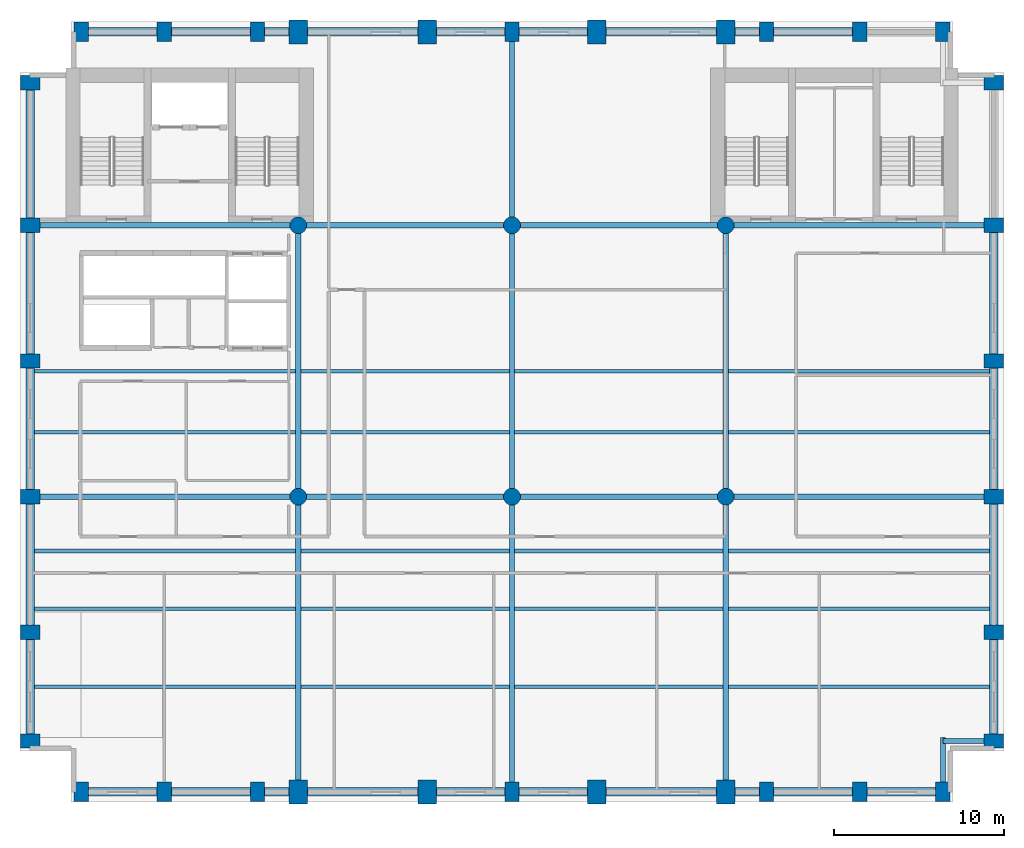
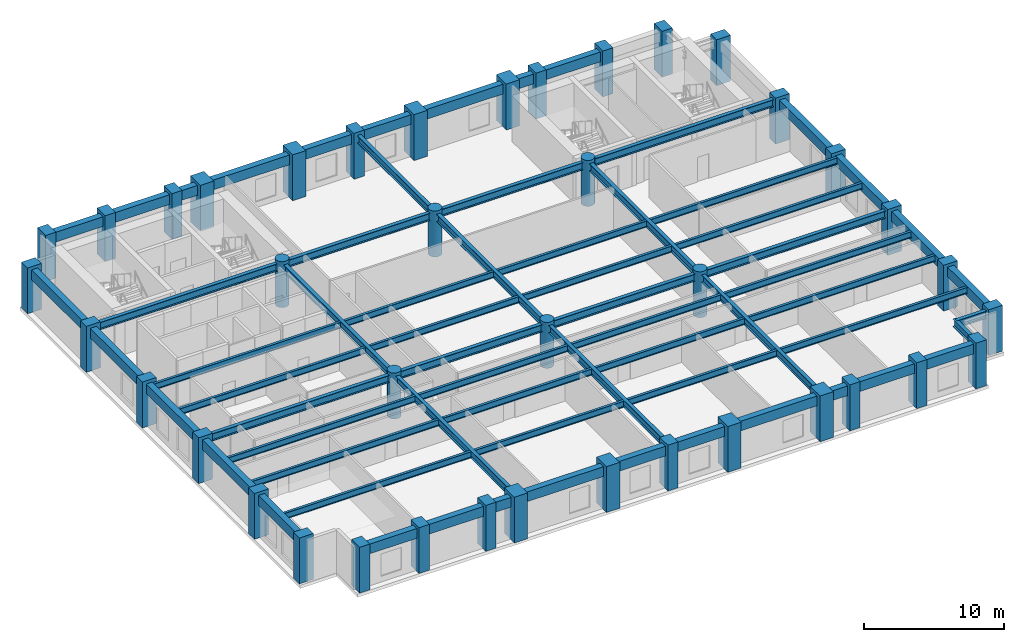
# One storey, part 1 of 9: 65 beams, 40 columns.
"""IFC4 building model written with IfcOpenShell, lengths in metres."""

from ifc_helpers import new_model, si_unit, direction, frame, origin, origin_2d, place, context, subcontext, project, spatial, rectangle, circle, i_section, extrude, material, material_profile, profile_set, type_object, element, save


model = new_model("IFC4")

# Units and contexts
model_context = context("Model", 3, precision=1e-05, world=origin(), true_north=direction((0.0, 1.0)))
body_context = subcontext(model_context, "Body", "Model", "MODEL_VIEW")
ifc_project = project(units=[si_unit("LENGTHUNIT", "METRE"), si_unit("AREAUNIT", "SQUARE_METRE"), si_unit("VOLUMEUNIT", "CUBIC_METRE"), si_unit("PLANEANGLEUNIT", "RADIAN"), si_unit("MASSUNIT", "GRAM", prefix="KILO")], contexts=[model_context])

# Site, building, storey
site_placement = place(None, origin())
site = spatial("IfcSite", under=ifc_project, at=site_placement, CompositionType="ELEMENT")
building_placement = place(site_placement, origin())
building = spatial("IfcBuilding", under=site, at=building_placement, Name="Sulina Concourse Tower", CompositionType="ELEMENT")
storey_placement = place(building_placement, frame((0.0, 0.0, 96.60009765625)))
storey = spatial("IfcBuildingStorey", under=building, at=storey_placement, Name="L23", CompositionType="ELEMENT", Elevation=96.60009765625)

# Columns
ifc_material_1 = material(Name="Concrete C60/75", Category="concrete")
ifc_material_profile_1 = material_profile(ifc_material_1, circle(Radius=0.5, at=origin_2d()), Name="RC D1000")
ifc_profile_set_1 = profile_set([ifc_material_profile_1], Name="Concrete C60/75")
column_type_1 = type_object("IfcColumnType", Name="Lower Interior Circular Column D1000", PredefinedType="COLUMN", material=ifc_profile_set_1)
for number, where, z_axis, x_axis, name in (
    (1, (16.39990234375, 18.0, 0.0), (0.0, 0.0, 1.0), (1.0, 0.0, 0.0), "L23 structural column IC-M-164"),
    (2, (16.39990234375, 34.0, 0.0), (0.0, 0.0, 1.0), (1.0, 0.0, 0.0), "L23 structural column IC-N-164"),
    (3, (29.0, 18.0, 0.0), (0.0, 0.0, 1.0), (1.0, 0.0, 0.0), "L23 structural column IC-M-290"),
    (4, (29.0, 34.0, 0.0), (0.0, 0.0, 1.0), (1.0, 0.0, 0.0), "L23 structural column IC-N-290"),
    (5, (41.60009765625, 18.0, 0.0), (0.0, 0.0, 1.0), (1.0, 0.0, 0.0), "L23 structural column IC-M-416"),
    (6, (41.60009765625, 34.0, 0.0), (0.0, 0.0, 1.0), (1.0, 0.0, 0.0), "L23 structural column IC-N-416"),
):
    element("IfcColumn", number, at=place(storey_placement, frame(where, z_axis=z_axis, x_axis=x_axis)), inside=storey, type_object=column_type_1, Name=name, PredefinedType="COLUMN", context=body_context, shape_type="SweptSolid", body=[
        extrude(circle(Radius=0.5, at=origin_2d()), origin(), (0.0, 0.0, 1.0), 4.0),
    ])
ifc_material_2 = material(Name="Concrete C60/75", Category="concrete")
ifc_material_profile_2 = material_profile(ifc_material_2, rectangle(XDim=1.10009765625, YDim=1.39990234375, at=origin_2d()), Name="RC 1100x1400")
ifc_profile_set_2 = profile_set([ifc_material_profile_2], Name="Concrete C60/75")
column_type_2 = type_object("IfcColumnType", Name="Mid-Rise Portal Column 1100x1400", PredefinedType="COLUMN", material=ifc_profile_set_2)
for number, where, z_axis, x_axis, name in (
    (7, (16.39990234375, 0.60009765625, 0.0), (0.0, 0.0, 1.0), (1.0, 0.0, 0.0), "L23 structural column TP-S-164"),
    (8, (16.39990234375, 45.39990234375, 0.0), (0.0, 0.0, 1.0), (1.0, 0.0, 0.0), "L23 structural column TP-N-164"),
    (9, (24.0, 0.60009765625, 0.0), (0.0, 0.0, 1.0), (1.0, 0.0, 0.0), "L23 structural column TP-S-240"),
    (10, (24.0, 45.39990234375, 0.0), (0.0, 0.0, 1.0), (1.0, 0.0, 0.0), "L23 structural column TP-N-240"),
    (11, (34.0, 0.60009765625, 0.0), (0.0, 0.0, 1.0), (1.0, 0.0, 0.0), "L23 structural column TP-S-340"),
    (12, (34.0, 45.39990234375, 0.0), (0.0, 0.0, 1.0), (1.0, 0.0, 0.0), "L23 structural column TP-N-340"),
    (13, (41.60009765625, 0.60009765625, 0.0), (0.0, 0.0, 1.0), (1.0, 0.0, 0.0), "L23 structural column TP-S-416"),
    (14, (41.60009765625, 45.39990234375, 0.0), (0.0, 0.0, 1.0), (1.0, 0.0, 0.0), "L23 structural column TP-N-416"),
):
    element("IfcColumn", number, at=place(storey_placement, frame(where, z_axis=z_axis, x_axis=x_axis)), inside=storey, type_object=column_type_2, Name=name, PredefinedType="COLUMN", context=body_context, shape_type="SweptSolid", body=[
        extrude(rectangle(XDim=1.10009765625, YDim=1.39990234375, at=origin_2d()), origin(), (0.0, 0.0, 1.0), 4.0),
    ])
ifc_material_3 = material(Name="Precast concrete C60/75", Category="concrete")
ifc_material_profile_3 = material_profile(ifc_material_3, rectangle(XDim=0.85009765625, YDim=1.14990234375, at=origin_2d()), Name="PC 850x1150")
ifc_profile_set_3 = profile_set([ifc_material_profile_3], Name="Precast concrete C60/75")
column_type_3 = type_object("IfcColumnType", Name="Precast Tube Pier Zone 2 850x1150", PredefinedType="COLUMN", material=ifc_profile_set_3)
for number, where, z_axis, x_axis, name in (
    (15, (3.60009765625, 0.60009765625, 0.0), (0.0, 0.0, 1.0), (1.0, 0.0, 0.0), "L23 structural column TP-S-36"),
    (16, (3.60009765625, 45.39990234375, 0.0), (0.0, 0.0, 1.0), (1.0, 0.0, 0.0), "L23 structural column TP-N-36"),
    (17, (8.5, 0.60009765625, 0.0), (0.0, 0.0, 1.0), (1.0, 0.0, 0.0), "L23 structural column TP-S-85"),
    (18, (8.5, 45.39990234375, 0.0), (0.0, 0.0, 1.0), (1.0, 0.0, 0.0), "L23 structural column TP-N-85"),
    (19, (14.0, 0.60009765625, 0.0), (0.0, 0.0, 1.0), (1.0, 0.0, 0.0), "L23 structural column TP-S-140"),
    (20, (14.0, 45.39990234375, 0.0), (0.0, 0.0, 1.0), (1.0, 0.0, 0.0), "L23 structural column TP-N-140"),
    (21, (29.0, 0.60009765625, 0.0), (0.0, 0.0, 1.0), (1.0, 0.0, 0.0), "L23 structural column TP-S-290"),
    (22, (29.0, 45.39990234375, 0.0), (0.0, 0.0, 1.0), (1.0, 0.0, 0.0), "L23 structural column TP-N-290"),
    (23, (44.0, 0.60009765625, 0.0), (0.0, 0.0, 1.0), (1.0, 0.0, 0.0), "L23 structural column TP-S-440"),
    (24, (44.0, 45.39990234375, 0.0), (0.0, 0.0, 1.0), (1.0, 0.0, 0.0), "L23 structural column TP-N-440"),
    (25, (49.5, 0.60009765625, 0.0), (0.0, 0.0, 1.0), (1.0, 0.0, 0.0), "L23 structural column TP-S-495"),
    (26, (49.5, 45.39990234375, 0.0), (0.0, 0.0, 1.0), (1.0, 0.0, 0.0), "L23 structural column TP-N-495"),
    (27, (54.39990234375, 0.60009765625, 0.0), (0.0, 0.0, 1.0), (1.0, 0.0, 0.0), "L23 structural column TP-S-544"),
    (28, (54.39990234375, 45.39990234375, 0.0), (0.0, 0.0, 1.0), (1.0, 0.0, 0.0), "L23 structural column TP-N-544"),
    (29, (0.60009765625, 3.60009765625, 0.0), (0.0, 0.0, 1.0), (0.0, 1.0, 0.0), "L23 structural column TP-W-36"),
    (30, (57.39990234375, 3.60009765625, 0.0), (0.0, 0.0, 1.0), (0.0, 1.0, 0.0), "L23 structural column TP-E-36"),
    (31, (0.60009765625, 10.0, 0.0), (0.0, 0.0, 1.0), (0.0, 1.0, 0.0), "L23 structural column TP-W-100"),
    (32, (57.39990234375, 10.0, 0.0), (0.0, 0.0, 1.0), (0.0, 1.0, 0.0), "L23 structural column TP-E-100"),
    (33, (0.60009765625, 18.0, 0.0), (0.0, 0.0, 1.0), (0.0, 1.0, 0.0), "L23 structural column TP-W-180"),
    (34, (57.39990234375, 18.0, 0.0), (0.0, 0.0, 1.0), (0.0, 1.0, 0.0), "L23 structural column TP-E-180"),
    (35, (0.60009765625, 26.0, 0.0), (0.0, 0.0, 1.0), (0.0, 1.0, 0.0), "L23 structural column TP-W-260"),
    (36, (57.39990234375, 26.0, 0.0), (0.0, 0.0, 1.0), (0.0, 1.0, 0.0), "L23 structural column TP-E-260"),
    (37, (0.60009765625, 34.0, 0.0), (0.0, 0.0, 1.0), (0.0, 1.0, 0.0), "L23 structural column TP-W-340"),
    (38, (57.39990234375, 34.0, 0.0), (0.0, 0.0, 1.0), (0.0, 1.0, 0.0), "L23 structural column TP-E-340"),
    (39, (0.60009765625, 42.39990234375, 0.0), (0.0, 0.0, 1.0), (0.0, 1.0, 0.0), "L23 structural column TP-W-424"),
    (40, (57.39990234375, 42.39990234375, 0.0), (0.0, 0.0, 1.0), (0.0, 1.0, 0.0), "L23 structural column TP-E-424"),
):
    element("IfcColumn", number, at=place(storey_placement, frame(where, z_axis=z_axis, x_axis=x_axis)), inside=storey, type_object=column_type_3, Name=name, PredefinedType="COLUMN", context=body_context, shape_type="SweptSolid", body=[
        extrude(rectangle(XDim=0.85009765625, YDim=1.14990234375, at=origin_2d()), origin(), (0.0, 0.0, 1.0), 4.0),
    ])

# Beams
ifc_material_4 = material(Name="Steel S355", Category="steel")
ifc_material_profile_4 = material_profile(ifc_material_4, i_section(OverallWidth=0.2099609375, OverallDepth=0.550048828125, WebThickness=0.010986328125, FlangeThickness=0.01708984375, at=origin_2d()), Name="IPE 550")
ifc_profile_set_4 = profile_set([ifc_material_profile_4], Name="Steel S355")
beam_type_1 = type_object("IfcBeamType", Name="Composite Floor Joist IPE550", PredefinedType="JOIST", material=ifc_profile_set_4)
beam_1_placement = place(storey_placement, frame((0.85009765625, 6.800048828125, 3.449951171875), z_axis=(1.0, 0.0, 0.0), x_axis=(0.0, 1.0, 0.0)))
element("IfcBeam", 41, at=beam_1_placement, inside=storey, type_object=beam_type_1, Name="FJ-J06-1-L23", PredefinedType="JOIST", context=body_context, shape_type="SweptSolid", body=[
    extrude(i_section(OverallWidth=0.2099609375, OverallDepth=0.550048828125, WebThickness=0.010986328125, FlangeThickness=0.01708984375, at=origin_2d()), origin(), (0.0, 0.0, 1.0), 15.39990234375),
])
for number, where, z_axis, x_axis, name in (
    (42, (16.550048828125, 6.800048828125, 3.449951171875), (1.0, 0.0, 0.0), (0.0, 1.0, 0.0), "FJ-J06-2-L23"),
    (43, (29.14990234375, 6.800048828125, 3.449951171875), (1.0, 0.0, 0.0), (0.0, 1.0, 0.0), "FJ-J06-3-L23"),
):
    element("IfcBeam", number, at=place(storey_placement, frame(where, z_axis=z_axis, x_axis=x_axis)), inside=storey, type_object=beam_type_1, Name=name, PredefinedType="JOIST", context=body_context, shape_type="SweptSolid", body=[
        extrude(i_section(OverallWidth=0.2099609375, OverallDepth=0.550048828125, WebThickness=0.010986328125, FlangeThickness=0.01708984375, at=origin_2d()), origin(), (0.0, 0.0, 1.0), 12.300048828125),
    ])
for number, where, z_axis, x_axis, name in (
    (44, (41.75, 6.800048828125, 3.449951171875), (1.0, 0.0, 0.0), (0.0, 1.0, 0.0), "FJ-J06-4-L23"),
    (45, (0.85009765625, 11.39990234375, 3.449951171875), (1.0, 0.0, 0.0), (0.0, 1.0, 0.0), "FJ-J11-1-L23"),
):
    element("IfcBeam", number, at=place(storey_placement, frame(where, z_axis=z_axis, x_axis=x_axis)), inside=storey, type_object=beam_type_1, Name=name, PredefinedType="JOIST", context=body_context, shape_type="SweptSolid", body=[
        extrude(i_section(OverallWidth=0.2099609375, OverallDepth=0.550048828125, WebThickness=0.010986328125, FlangeThickness=0.01708984375, at=origin_2d()), origin(), (0.0, 0.0, 1.0), 15.39990234375),
    ])
for number, where, z_axis, x_axis, name in (
    (46, (16.550048828125, 11.39990234375, 3.449951171875), (1.0, 0.0, 0.0), (0.0, 1.0, 0.0), "FJ-J11-2-L23"),
    (47, (29.14990234375, 11.39990234375, 3.449951171875), (1.0, 0.0, 0.0), (0.0, 1.0, 0.0), "FJ-J11-3-L23"),
):
    element("IfcBeam", number, at=place(storey_placement, frame(where, z_axis=z_axis, x_axis=x_axis)), inside=storey, type_object=beam_type_1, Name=name, PredefinedType="JOIST", context=body_context, shape_type="SweptSolid", body=[
        extrude(i_section(OverallWidth=0.2099609375, OverallDepth=0.550048828125, WebThickness=0.010986328125, FlangeThickness=0.01708984375, at=origin_2d()), origin(), (0.0, 0.0, 1.0), 12.300048828125),
    ])
for number, where, z_axis, x_axis, name in (
    (48, (41.75, 11.39990234375, 3.449951171875), (1.0, 0.0, 0.0), (0.0, 1.0, 0.0), "FJ-J11-4-L23"),
    (49, (0.85009765625, 14.800048828125, 3.449951171875), (1.0, 0.0, 0.0), (0.0, 1.0, 0.0), "FJ-J15-1-L23"),
):
    element("IfcBeam", number, at=place(storey_placement, frame(where, z_axis=z_axis, x_axis=x_axis)), inside=storey, type_object=beam_type_1, Name=name, PredefinedType="JOIST", context=body_context, shape_type="SweptSolid", body=[
        extrude(i_section(OverallWidth=0.2099609375, OverallDepth=0.550048828125, WebThickness=0.010986328125, FlangeThickness=0.01708984375, at=origin_2d()), origin(), (0.0, 0.0, 1.0), 15.39990234375),
    ])
for number, where, z_axis, x_axis, name in (
    (50, (16.550048828125, 14.800048828125, 3.449951171875), (1.0, 0.0, 0.0), (0.0, 1.0, 0.0), "FJ-J15-2-L23"),
    (51, (29.14990234375, 14.800048828125, 3.449951171875), (1.0, 0.0, 0.0), (0.0, 1.0, 0.0), "FJ-J15-3-L23"),
):
    element("IfcBeam", number, at=place(storey_placement, frame(where, z_axis=z_axis, x_axis=x_axis)), inside=storey, type_object=beam_type_1, Name=name, PredefinedType="JOIST", context=body_context, shape_type="SweptSolid", body=[
        extrude(i_section(OverallWidth=0.2099609375, OverallDepth=0.550048828125, WebThickness=0.010986328125, FlangeThickness=0.01708984375, at=origin_2d()), origin(), (0.0, 0.0, 1.0), 12.300048828125),
    ])
for number, where, z_axis, x_axis, name in (
    (52, (41.75, 14.800048828125, 3.449951171875), (1.0, 0.0, 0.0), (0.0, 1.0, 0.0), "FJ-J15-4-L23"),
    (53, (0.85009765625, 21.800048828125, 3.449951171875), (1.0, 0.0, 0.0), (0.0, 1.0, 0.0), "FJ-J22-1-L23"),
):
    element("IfcBeam", number, at=place(storey_placement, frame(where, z_axis=z_axis, x_axis=x_axis)), inside=storey, type_object=beam_type_1, Name=name, PredefinedType="JOIST", context=body_context, shape_type="SweptSolid", body=[
        extrude(i_section(OverallWidth=0.2099609375, OverallDepth=0.550048828125, WebThickness=0.010986328125, FlangeThickness=0.01708984375, at=origin_2d()), origin(), (0.0, 0.0, 1.0), 15.39990234375),
    ])
for number, where, z_axis, x_axis, name in (
    (54, (16.550048828125, 21.800048828125, 3.449951171875), (1.0, 0.0, 0.0), (0.0, 1.0, 0.0), "FJ-J22-2-L23"),
    (55, (29.14990234375, 21.800048828125, 3.449951171875), (1.0, 0.0, 0.0), (0.0, 1.0, 0.0), "FJ-J22-3-L23"),
):
    element("IfcBeam", number, at=place(storey_placement, frame(where, z_axis=z_axis, x_axis=x_axis)), inside=storey, type_object=beam_type_1, Name=name, PredefinedType="JOIST", context=body_context, shape_type="SweptSolid", body=[
        extrude(i_section(OverallWidth=0.2099609375, OverallDepth=0.550048828125, WebThickness=0.010986328125, FlangeThickness=0.01708984375, at=origin_2d()), origin(), (0.0, 0.0, 1.0), 12.300048828125),
    ])
for number, where, z_axis, x_axis, name in (
    (56, (41.75, 21.800048828125, 3.449951171875), (1.0, 0.0, 0.0), (0.0, 1.0, 0.0), "FJ-J22-4-L23"),
    (57, (0.85009765625, 25.39990234375, 3.449951171875), (1.0, 0.0, 0.0), (0.0, 1.0, 0.0), "FJ-J25-1-L23"),
):
    element("IfcBeam", number, at=place(storey_placement, frame(where, z_axis=z_axis, x_axis=x_axis)), inside=storey, type_object=beam_type_1, Name=name, PredefinedType="JOIST", context=body_context, shape_type="SweptSolid", body=[
        extrude(i_section(OverallWidth=0.2099609375, OverallDepth=0.550048828125, WebThickness=0.010986328125, FlangeThickness=0.01708984375, at=origin_2d()), origin(), (0.0, 0.0, 1.0), 15.39990234375),
    ])
for number, where, z_axis, x_axis, name in (
    (58, (16.550048828125, 25.39990234375, 3.449951171875), (1.0, 0.0, 0.0), (0.0, 1.0, 0.0), "FJ-J25-2-L23"),
    (59, (29.14990234375, 25.39990234375, 3.449951171875), (1.0, 0.0, 0.0), (0.0, 1.0, 0.0), "FJ-J25-3-L23"),
):
    element("IfcBeam", number, at=place(storey_placement, frame(where, z_axis=z_axis, x_axis=x_axis)), inside=storey, type_object=beam_type_1, Name=name, PredefinedType="JOIST", context=body_context, shape_type="SweptSolid", body=[
        extrude(i_section(OverallWidth=0.2099609375, OverallDepth=0.550048828125, WebThickness=0.010986328125, FlangeThickness=0.01708984375, at=origin_2d()), origin(), (0.0, 0.0, 1.0), 12.300048828125),
    ])
beam_2_placement = place(storey_placement, frame((41.75, 25.39990234375, 3.449951171875), z_axis=(1.0, 0.0, 0.0), x_axis=(0.0, 1.0, 0.0)))
element("IfcBeam", 60, at=beam_2_placement, inside=storey, type_object=beam_type_1, Name="FJ-J25-4-L23", PredefinedType="JOIST", context=body_context, shape_type="SweptSolid", body=[
    extrude(i_section(OverallWidth=0.2099609375, OverallDepth=0.550048828125, WebThickness=0.010986328125, FlangeThickness=0.01708984375, at=origin_2d()), origin(), (0.0, 0.0, 1.0), 15.39990234375),
])
ifc_material_5 = material(Name="Steel S355", Category="steel")
ifc_material_profile_5 = material_profile(ifc_material_5, i_section(OverallWidth=0.300048828125, OverallDepth=0.64990234375, WebThickness=0.01611328125, FlangeThickness=0.031005859375, at=origin_2d()), Name="HE 650 B")
ifc_profile_set_5 = profile_set([ifc_material_profile_5], Name="Steel S355")
beam_type_2 = type_object("IfcBeamType", Name="Floor Primary Girder Zone 2 HE650B", PredefinedType="BEAM", material=ifc_profile_set_5)
beam_3_placement = place(storey_placement, frame((54.39990234375, 3.60009765625, 3.39990234375), z_axis=(1.0, 0.0, 0.0), x_axis=(0.0, 1.0, 0.0)))
element("IfcBeam", 61, at=beam_3_placement, inside=storey, type_object=beam_type_2, Name="TIE-SE-L23", PredefinedType="BEAM", context=body_context, shape_type="SweptSolid", body=[
    extrude(i_section(OverallWidth=0.300048828125, OverallDepth=0.64990234375, WebThickness=0.01611328125, FlangeThickness=0.031005859375, at=origin_2d()), origin(), (0.0, 0.0, 1.0), 2.59521484375),
])
beam_4_placement = place(storey_placement, frame((54.39990234375, 1.0048828125, 3.39990234375), z_axis=(0.0, 1.0, 0.0), x_axis=(-1.0, 0.0, 0.0)))
element("IfcBeam", 62, at=beam_4_placement, inside=storey, type_object=beam_type_2, Name="TIE-SES-L23", PredefinedType="BEAM", context=body_context, shape_type="SweptSolid", body=[
    extrude(i_section(OverallWidth=0.300048828125, OverallDepth=0.64990234375, WebThickness=0.01611328125, FlangeThickness=0.031005859375, at=origin_2d()), origin(), (0.0, 0.0, 1.0), 2.795166015625),
])
beam_5_placement = place(storey_placement, frame((1.0048828125, 18.0, 3.39990234375), z_axis=(1.0, 0.0, 0.0), x_axis=(0.0, 1.0, 0.0)))
element("IfcBeam", 63, at=beam_5_placement, inside=storey, type_object=beam_type_2, Name="FG-EW1-L23", PredefinedType="BEAM", context=body_context, shape_type="SweptSolid", body=[
    extrude(i_section(OverallWidth=0.300048828125, OverallDepth=0.64990234375, WebThickness=0.01611328125, FlangeThickness=0.031005859375, at=origin_2d()), origin(), (0.0, 0.0, 1.0), 14.9150390625),
])
for number, where, z_axis, x_axis, name in (
    (64, (16.8798828125, 18.0, 3.39990234375), (1.0, 0.0, 0.0), (0.0, 1.0, 0.0), "FG-EW2-L23"),
    (65, (29.47998046875, 18.0, 3.39990234375), (1.0, 0.0, 0.0), (0.0, 1.0, 0.0), "FG-EW3-L23"),
):
    element("IfcBeam", number, at=place(storey_placement, frame(where, z_axis=z_axis, x_axis=x_axis)), inside=storey, type_object=beam_type_2, Name=name, PredefinedType="BEAM", context=body_context, shape_type="SweptSolid", body=[
        extrude(i_section(OverallWidth=0.300048828125, OverallDepth=0.64990234375, WebThickness=0.01611328125, FlangeThickness=0.031005859375, at=origin_2d()), origin(), (0.0, 0.0, 1.0), 11.64013671875),
    ])
for number, where, z_axis, x_axis, name in (
    (66, (42.080078125, 18.0, 3.39990234375), (1.0, 0.0, 0.0), (0.0, 1.0, 0.0), "FG-EW4-L23"),
    (67, (1.0048828125, 34.0, 3.39990234375), (1.0, 0.0, 0.0), (0.0, 1.0, 0.0), "FG-EWN1-L23"),
):
    element("IfcBeam", number, at=place(storey_placement, frame(where, z_axis=z_axis, x_axis=x_axis)), inside=storey, type_object=beam_type_2, Name=name, PredefinedType="BEAM", context=body_context, shape_type="SweptSolid", body=[
        extrude(i_section(OverallWidth=0.300048828125, OverallDepth=0.64990234375, WebThickness=0.01611328125, FlangeThickness=0.031005859375, at=origin_2d()), origin(), (0.0, 0.0, 1.0), 14.9150390625),
    ])
for number, where, z_axis, x_axis, name in (
    (68, (16.8798828125, 34.0, 3.39990234375), (1.0, 0.0, 0.0), (0.0, 1.0, 0.0), "FG-EWN2-L23"),
    (69, (29.47998046875, 34.0, 3.39990234375), (1.0, 0.0, 0.0), (0.0, 1.0, 0.0), "FG-EWN3-L23"),
):
    element("IfcBeam", number, at=place(storey_placement, frame(where, z_axis=z_axis, x_axis=x_axis)), inside=storey, type_object=beam_type_2, Name=name, PredefinedType="BEAM", context=body_context, shape_type="SweptSolid", body=[
        extrude(i_section(OverallWidth=0.300048828125, OverallDepth=0.64990234375, WebThickness=0.01611328125, FlangeThickness=0.031005859375, at=origin_2d()), origin(), (0.0, 0.0, 1.0), 11.64013671875),
    ])
beam_6_placement = place(storey_placement, frame((42.080078125, 34.0, 3.39990234375), z_axis=(1.0, 0.0, 0.0), x_axis=(0.0, 1.0, 0.0)))
element("IfcBeam", 70, at=beam_6_placement, inside=storey, type_object=beam_type_2, Name="FG-EWN4-L23", PredefinedType="BEAM", context=body_context, shape_type="SweptSolid", body=[
    extrude(i_section(OverallWidth=0.300048828125, OverallDepth=0.64990234375, WebThickness=0.01611328125, FlangeThickness=0.031005859375, at=origin_2d()), origin(), (0.0, 0.0, 1.0), 14.9150390625),
])
beam_7_placement = place(storey_placement, frame((16.39990234375, 1.1298828125, 3.39990234375), z_axis=(0.0, 1.0, 0.0), x_axis=(-1.0, 0.0, 0.0)))
element("IfcBeam", 71, at=beam_7_placement, inside=storey, type_object=beam_type_2, Name="FG-NSA-16-L23", PredefinedType="BEAM", context=body_context, shape_type="SweptSolid", body=[
    extrude(i_section(OverallWidth=0.300048828125, OverallDepth=0.64990234375, WebThickness=0.01611328125, FlangeThickness=0.031005859375, at=origin_2d()), origin(), (0.0, 0.0, 1.0), 16.39013671875),
])
beam_8_placement = place(storey_placement, frame((16.39990234375, 18.47998046875, 3.39990234375), z_axis=(0.0, 1.0, 0.0), x_axis=(-1.0, 0.0, 0.0)))
element("IfcBeam", 72, at=beam_8_placement, inside=storey, type_object=beam_type_2, Name="FG-NSB-16-L23", PredefinedType="BEAM", context=body_context, shape_type="SweptSolid", body=[
    extrude(i_section(OverallWidth=0.300048828125, OverallDepth=0.64990234375, WebThickness=0.01611328125, FlangeThickness=0.031005859375, at=origin_2d()), origin(), (0.0, 0.0, 1.0), 15.0400390625),
])
beam_9_placement = place(storey_placement, frame((29.0, 1.0048828125, 3.39990234375), z_axis=(0.0, 1.0, 0.0), x_axis=(-1.0, 0.0, 0.0)))
element("IfcBeam", 73, at=beam_9_placement, inside=storey, type_object=beam_type_2, Name="FG-NSA-29-L23", PredefinedType="BEAM", context=body_context, shape_type="SweptSolid", body=[
    extrude(i_section(OverallWidth=0.300048828125, OverallDepth=0.64990234375, WebThickness=0.01611328125, FlangeThickness=0.031005859375, at=origin_2d()), origin(), (0.0, 0.0, 1.0), 16.51513671875),
])
beam_10_placement = place(storey_placement, frame((29.0, 18.47998046875, 3.39990234375), z_axis=(0.0, 1.0, 0.0), x_axis=(-1.0, 0.0, 0.0)))
element("IfcBeam", 74, at=beam_10_placement, inside=storey, type_object=beam_type_2, Name="FG-NSB-29-L23", PredefinedType="BEAM", context=body_context, shape_type="SweptSolid", body=[
    extrude(i_section(OverallWidth=0.300048828125, OverallDepth=0.64990234375, WebThickness=0.01611328125, FlangeThickness=0.031005859375, at=origin_2d()), origin(), (0.0, 0.0, 1.0), 15.0400390625),
])
beam_11_placement = place(storey_placement, frame((29.0, 34.47998046875, 3.39990234375), z_axis=(0.0, 1.0, 0.0), x_axis=(-1.0, 0.0, 0.0)))
element("IfcBeam", 75, at=beam_11_placement, inside=storey, type_object=beam_type_2, Name="FG-NSC-29-L23", PredefinedType="BEAM", context=body_context, shape_type="SweptSolid", body=[
    extrude(i_section(OverallWidth=0.300048828125, OverallDepth=0.64990234375, WebThickness=0.01611328125, FlangeThickness=0.031005859375, at=origin_2d()), origin(), (0.0, 0.0, 1.0), 10.51513671875),
])
beam_12_placement = place(storey_placement, frame((41.60009765625, 1.1298828125, 3.39990234375), z_axis=(0.0, 1.0, 0.0), x_axis=(-1.0, 0.0, 0.0)))
element("IfcBeam", 76, at=beam_12_placement, inside=storey, type_object=beam_type_2, Name="FG-NSA-41-L23", PredefinedType="BEAM", context=body_context, shape_type="SweptSolid", body=[
    extrude(i_section(OverallWidth=0.300048828125, OverallDepth=0.64990234375, WebThickness=0.01611328125, FlangeThickness=0.031005859375, at=origin_2d()), origin(), (0.0, 0.0, 1.0), 16.39013671875),
])
beam_13_placement = place(storey_placement, frame((41.60009765625, 18.47998046875, 3.39990234375), z_axis=(0.0, 1.0, 0.0), x_axis=(-1.0, 0.0, 0.0)))
element("IfcBeam", 77, at=beam_13_placement, inside=storey, type_object=beam_type_2, Name="FG-NSB-41-L23", PredefinedType="BEAM", context=body_context, shape_type="SweptSolid", body=[
    extrude(i_section(OverallWidth=0.300048828125, OverallDepth=0.64990234375, WebThickness=0.01611328125, FlangeThickness=0.031005859375, at=origin_2d()), origin(), (0.0, 0.0, 1.0), 15.0400390625),
])
ifc_material_6 = material(Name="Precast concrete C50/60", Category="concrete")
ifc_material_profile_6 = material_profile(ifc_material_6, rectangle(XDim=0.5, YDim=0.85009765625, at=origin_2d()), Name="RC 500x850")
ifc_profile_set_6 = profile_set([ifc_material_profile_6], Name="Precast concrete C50/60")
beam_type_3 = type_object("IfcBeamType", Name="Lower Precast Spandrel Edge Beam 500x850", PredefinedType="BEAM", material=ifc_profile_set_6)
beam_14_placement = place(storey_placement, frame((4.0048828125, 0.60009765625, 3.2998046875), z_axis=(1.0, 0.0, 0.0), x_axis=(0.0, 1.0, 0.0)))
element("IfcBeam", 78, at=beam_14_placement, inside=storey, type_object=beam_type_3, Name="SP-S1-L23", PredefinedType="BEAM", context=body_context, shape_type="SweptSolid", body=[
    extrude(rectangle(XDim=0.5, YDim=0.85009765625, at=origin_2d()), origin(), (0.0, 0.0, 1.0), 4.090087890625),
])
beam_15_placement = place(storey_placement, frame((8.905029296875, 0.60009765625, 3.2998046875), z_axis=(1.0, 0.0, 0.0), x_axis=(0.0, 1.0, 0.0)))
element("IfcBeam", 79, at=beam_15_placement, inside=storey, type_object=beam_type_3, Name="SP-S2-L23", PredefinedType="BEAM", context=body_context, shape_type="SweptSolid", body=[
    extrude(rectangle(XDim=0.5, YDim=0.85009765625, at=origin_2d()), origin(), (0.0, 0.0, 1.0), 4.68994140625),
])
beam_16_placement = place(storey_placement, frame((14.405029296875, 0.60009765625, 3.2998046875), z_axis=(1.0, 0.0, 0.0), x_axis=(0.0, 1.0, 0.0)))
element("IfcBeam", 80, at=beam_16_placement, inside=storey, type_object=beam_type_3, Name="SP-S3-L23", PredefinedType="BEAM", context=body_context, shape_type="SweptSolid", body=[
    extrude(rectangle(XDim=0.5, YDim=0.85009765625, at=origin_2d()), origin(), (0.0, 0.0, 1.0), 1.465087890625),
])
beam_17_placement = place(storey_placement, frame((16.929931640625, 0.60009765625, 3.2998046875), z_axis=(1.0, 0.0, 0.0), x_axis=(0.0, 1.0, 0.0)))
element("IfcBeam", 81, at=beam_17_placement, inside=storey, type_object=beam_type_3, Name="SP-S4-L23", PredefinedType="BEAM", context=body_context, shape_type="SweptSolid", body=[
    extrude(rectangle(XDim=0.5, YDim=0.85009765625, at=origin_2d()), origin(), (0.0, 0.0, 1.0), 6.5400390625),
])
for number, where, z_axis, x_axis, name in (
    (82, (24.530029296875, 0.60009765625, 3.2998046875), (1.0, 0.0, 0.0), (0.0, 1.0, 0.0), "SP-S5-L23"),
    (83, (29.405029296875, 0.60009765625, 3.2998046875), (1.0, 0.0, 0.0), (0.0, 1.0, 0.0), "SP-S6-L23"),
):
    element("IfcBeam", number, at=place(storey_placement, frame(where, z_axis=z_axis, x_axis=x_axis)), inside=storey, type_object=beam_type_3, Name=name, PredefinedType="BEAM", context=body_context, shape_type="SweptSolid", body=[
        extrude(rectangle(XDim=0.5, YDim=0.85009765625, at=origin_2d()), origin(), (0.0, 0.0, 1.0), 4.06494140625),
    ])
beam_18_placement = place(storey_placement, frame((34.530029296875, 0.60009765625, 3.2998046875), z_axis=(1.0, 0.0, 0.0), x_axis=(0.0, 1.0, 0.0)))
element("IfcBeam", 84, at=beam_18_placement, inside=storey, type_object=beam_type_3, Name="SP-S7-L23", PredefinedType="BEAM", context=body_context, shape_type="SweptSolid", body=[
    extrude(rectangle(XDim=0.5, YDim=0.85009765625, at=origin_2d()), origin(), (0.0, 0.0, 1.0), 6.5400390625),
])
beam_19_placement = place(storey_placement, frame((42.1298828125, 0.60009765625, 3.2998046875), z_axis=(1.0, 0.0, 0.0), x_axis=(0.0, 1.0, 0.0)))
element("IfcBeam", 85, at=beam_19_placement, inside=storey, type_object=beam_type_3, Name="SP-S8-L23", PredefinedType="BEAM", context=body_context, shape_type="SweptSolid", body=[
    extrude(rectangle(XDim=0.5, YDim=0.85009765625, at=origin_2d()), origin(), (0.0, 0.0, 1.0), 1.465087890625),
])
beam_20_placement = place(storey_placement, frame((44.405029296875, 0.60009765625, 3.2998046875), z_axis=(1.0, 0.0, 0.0), x_axis=(0.0, 1.0, 0.0)))
element("IfcBeam", 86, at=beam_20_placement, inside=storey, type_object=beam_type_3, Name="SP-S9-L23", PredefinedType="BEAM", context=body_context, shape_type="SweptSolid", body=[
    extrude(rectangle(XDim=0.5, YDim=0.85009765625, at=origin_2d()), origin(), (0.0, 0.0, 1.0), 4.68994140625),
])
for number, where, z_axis, x_axis, name in (
    (87, (49.905029296875, 0.60009765625, 3.2998046875), (1.0, 0.0, 0.0), (0.0, 1.0, 0.0), "SP-S10-L23"),
    (88, (4.0048828125, 45.39990234375, 3.2998046875), (1.0, 0.0, 0.0), (0.0, 1.0, 0.0), "SP-N1-L23"),
):
    element("IfcBeam", number, at=place(storey_placement, frame(where, z_axis=z_axis, x_axis=x_axis)), inside=storey, type_object=beam_type_3, Name=name, PredefinedType="BEAM", context=body_context, shape_type="SweptSolid", body=[
        extrude(rectangle(XDim=0.5, YDim=0.85009765625, at=origin_2d()), origin(), (0.0, 0.0, 1.0), 4.090087890625),
    ])
beam_21_placement = place(storey_placement, frame((8.905029296875, 45.39990234375, 3.2998046875), z_axis=(1.0, 0.0, 0.0), x_axis=(0.0, 1.0, 0.0)))
element("IfcBeam", 89, at=beam_21_placement, inside=storey, type_object=beam_type_3, Name="SP-N2-L23", PredefinedType="BEAM", context=body_context, shape_type="SweptSolid", body=[
    extrude(rectangle(XDim=0.5, YDim=0.85009765625, at=origin_2d()), origin(), (0.0, 0.0, 1.0), 4.68994140625),
])
beam_22_placement = place(storey_placement, frame((14.405029296875, 45.39990234375, 3.2998046875), z_axis=(1.0, 0.0, 0.0), x_axis=(0.0, 1.0, 0.0)))
element("IfcBeam", 90, at=beam_22_placement, inside=storey, type_object=beam_type_3, Name="SP-N3-L23", PredefinedType="BEAM", context=body_context, shape_type="SweptSolid", body=[
    extrude(rectangle(XDim=0.5, YDim=0.85009765625, at=origin_2d()), origin(), (0.0, 0.0, 1.0), 1.465087890625),
])
beam_23_placement = place(storey_placement, frame((16.929931640625, 45.39990234375, 3.2998046875), z_axis=(1.0, 0.0, 0.0), x_axis=(0.0, 1.0, 0.0)))
element("IfcBeam", 91, at=beam_23_placement, inside=storey, type_object=beam_type_3, Name="SP-N4-L23", PredefinedType="BEAM", context=body_context, shape_type="SweptSolid", body=[
    extrude(rectangle(XDim=0.5, YDim=0.85009765625, at=origin_2d()), origin(), (0.0, 0.0, 1.0), 6.5400390625),
])
for number, where, z_axis, x_axis, name in (
    (92, (24.530029296875, 45.39990234375, 3.2998046875), (1.0, 0.0, 0.0), (0.0, 1.0, 0.0), "SP-N5-L23"),
    (93, (29.405029296875, 45.39990234375, 3.2998046875), (1.0, 0.0, 0.0), (0.0, 1.0, 0.0), "SP-N6-L23"),
):
    element("IfcBeam", number, at=place(storey_placement, frame(where, z_axis=z_axis, x_axis=x_axis)), inside=storey, type_object=beam_type_3, Name=name, PredefinedType="BEAM", context=body_context, shape_type="SweptSolid", body=[
        extrude(rectangle(XDim=0.5, YDim=0.85009765625, at=origin_2d()), origin(), (0.0, 0.0, 1.0), 4.06494140625),
    ])
beam_24_placement = place(storey_placement, frame((34.530029296875, 45.39990234375, 3.2998046875), z_axis=(1.0, 0.0, 0.0), x_axis=(0.0, 1.0, 0.0)))
element("IfcBeam", 94, at=beam_24_placement, inside=storey, type_object=beam_type_3, Name="SP-N7-L23", PredefinedType="BEAM", context=body_context, shape_type="SweptSolid", body=[
    extrude(rectangle(XDim=0.5, YDim=0.85009765625, at=origin_2d()), origin(), (0.0, 0.0, 1.0), 6.5400390625),
])
beam_25_placement = place(storey_placement, frame((42.1298828125, 45.39990234375, 3.2998046875), z_axis=(1.0, 0.0, 0.0), x_axis=(0.0, 1.0, 0.0)))
element("IfcBeam", 95, at=beam_25_placement, inside=storey, type_object=beam_type_3, Name="SP-N8-L23", PredefinedType="BEAM", context=body_context, shape_type="SweptSolid", body=[
    extrude(rectangle(XDim=0.5, YDim=0.85009765625, at=origin_2d()), origin(), (0.0, 0.0, 1.0), 1.465087890625),
])
beam_26_placement = place(storey_placement, frame((44.405029296875, 45.39990234375, 3.2998046875), z_axis=(1.0, 0.0, 0.0), x_axis=(0.0, 1.0, 0.0)))
element("IfcBeam", 96, at=beam_26_placement, inside=storey, type_object=beam_type_3, Name="SP-N9-L23", PredefinedType="BEAM", context=body_context, shape_type="SweptSolid", body=[
    extrude(rectangle(XDim=0.5, YDim=0.85009765625, at=origin_2d()), origin(), (0.0, 0.0, 1.0), 4.68994140625),
])
beam_27_placement = place(storey_placement, frame((0.60009765625, 4.0048828125, 3.2998046875), z_axis=(0.0, 1.0, 0.0), x_axis=(-1.0, 0.0, 0.0)))
element("IfcBeam", 97, at=beam_27_placement, inside=storey, type_object=beam_type_3, Name="SP-W1-L23", PredefinedType="BEAM", context=body_context, shape_type="SweptSolid", body=[
    extrude(rectangle(XDim=0.5, YDim=0.85009765625, at=origin_2d()), origin(), (0.0, 0.0, 1.0), 5.590087890625),
])
for number, where, z_axis, x_axis, name in (
    (98, (0.60009765625, 10.405029296875, 3.2998046875), (0.0, 1.0, 0.0), (-1.0, 0.0, 0.0), "SP-W2-L23"),
    (99, (0.60009765625, 18.405029296875, 3.2998046875), (0.0, 1.0, 0.0), (-1.0, 0.0, 0.0), "SP-W3-L23"),
    (100, (0.60009765625, 26.405029296875, 3.2998046875), (0.0, 1.0, 0.0), (-1.0, 0.0, 0.0), "SP-W4-L23"),
):
    element("IfcBeam", number, at=place(storey_placement, frame(where, z_axis=z_axis, x_axis=x_axis)), inside=storey, type_object=beam_type_3, Name=name, PredefinedType="BEAM", context=body_context, shape_type="SweptSolid", body=[
        extrude(rectangle(XDim=0.5, YDim=0.85009765625, at=origin_2d()), origin(), (0.0, 0.0, 1.0), 7.18994140625),
    ])
beam_28_placement = place(storey_placement, frame((0.60009765625, 34.405029296875, 3.2998046875), z_axis=(0.0, 1.0, 0.0), x_axis=(-1.0, 0.0, 0.0)))
element("IfcBeam", 101, at=beam_28_placement, inside=storey, type_object=beam_type_3, Name="SP-W5-L23", PredefinedType="BEAM", context=body_context, shape_type="SweptSolid", body=[
    extrude(rectangle(XDim=0.5, YDim=0.85009765625, at=origin_2d()), origin(), (0.0, 0.0, 1.0), 7.590087890625),
])
beam_29_placement = place(storey_placement, frame((57.39990234375, 4.0048828125, 3.2998046875), z_axis=(0.0, 1.0, 0.0), x_axis=(-1.0, 0.0, 0.0)))
element("IfcBeam", 102, at=beam_29_placement, inside=storey, type_object=beam_type_3, Name="SP-E1-L23", PredefinedType="BEAM", context=body_context, shape_type="SweptSolid", body=[
    extrude(rectangle(XDim=0.5, YDim=0.85009765625, at=origin_2d()), origin(), (0.0, 0.0, 1.0), 5.590087890625),
])
for number, where, z_axis, x_axis, name in (
    (103, (57.39990234375, 10.405029296875, 3.2998046875), (0.0, 1.0, 0.0), (-1.0, 0.0, 0.0), "SP-E2-L23"),
    (104, (57.39990234375, 18.405029296875, 3.2998046875), (0.0, 1.0, 0.0), (-1.0, 0.0, 0.0), "SP-E3-L23"),
    (105, (57.39990234375, 26.405029296875, 3.2998046875), (0.0, 1.0, 0.0), (-1.0, 0.0, 0.0), "SP-E4-L23"),
):
    element("IfcBeam", number, at=place(storey_placement, frame(where, z_axis=z_axis, x_axis=x_axis)), inside=storey, type_object=beam_type_3, Name=name, PredefinedType="BEAM", context=body_context, shape_type="SweptSolid", body=[
        extrude(rectangle(XDim=0.5, YDim=0.85009765625, at=origin_2d()), origin(), (0.0, 0.0, 1.0), 7.18994140625),
    ])

save(model, "model.ifc")
